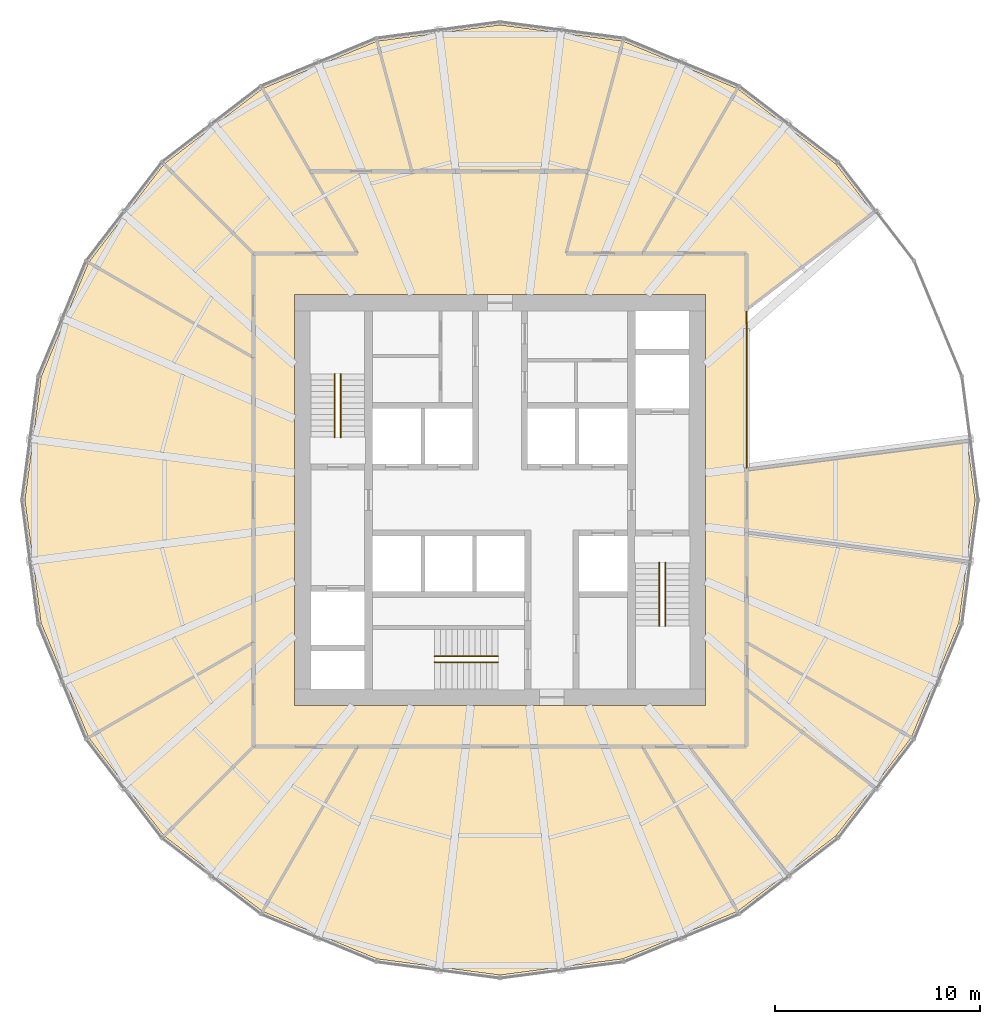
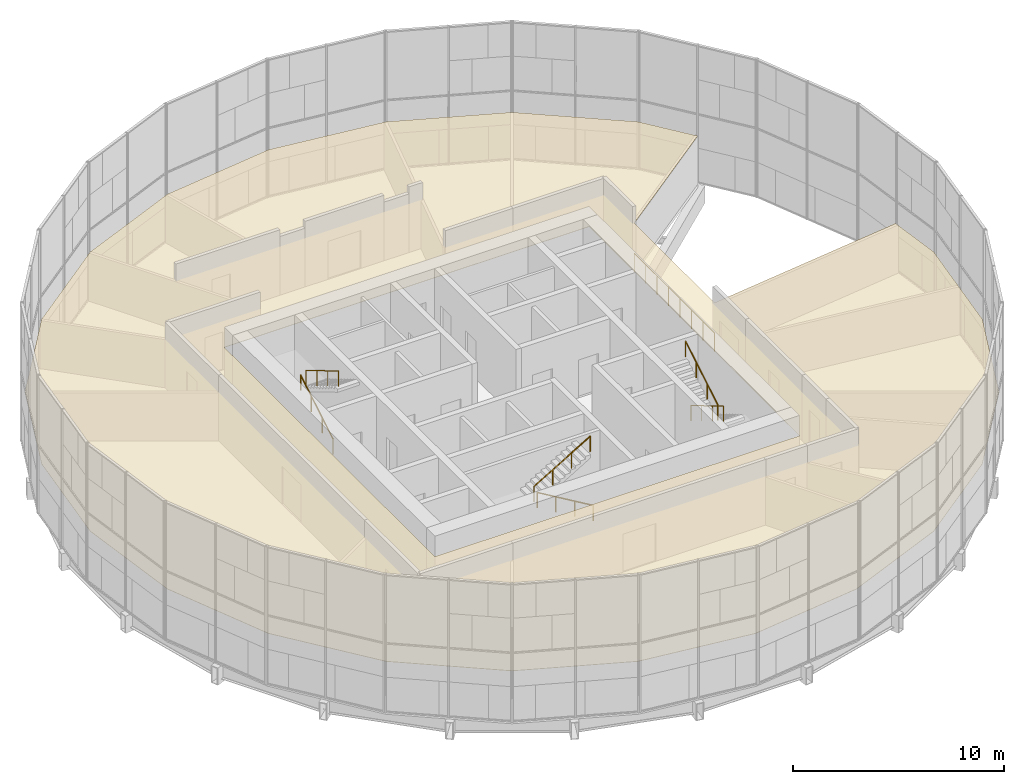
# One storey, part 18 of 18: 7 railings, 1 covering.
"""IFC4 building model written with IfcOpenShell, lengths in metres."""

from ifc_helpers import new_model, si_unit, direction, frame, origin, origin_2d, place, context, subcontext, project, spatial, polyline, circle, outline, extrude, material, layer, layer_set, type_object, element, save


model = new_model("IFC4")

# Units and contexts
model_context = context("Model", 3, precision=1e-05, world=origin(), true_north=direction((0.0, 1.0)))
body_context = subcontext(model_context, "Body", "Model", "MODEL_VIEW")
ifc_project = project(units=[si_unit("LENGTHUNIT", "METRE"), si_unit("AREAUNIT", "SQUARE_METRE"), si_unit("VOLUMEUNIT", "CUBIC_METRE"), si_unit("PLANEANGLEUNIT", "RADIAN"), si_unit("MASSUNIT", "GRAM", prefix="KILO")], contexts=[model_context])

# Site, building, storey
site_placement = place(None, origin())
site = spatial("IfcSite", under=ifc_project, at=site_placement, CompositionType="ELEMENT")
building_placement = place(site_placement, origin())
building = spatial("IfcBuilding", under=site, at=building_placement, Name="Golbaran Civic Tower", CompositionType="ELEMENT")
storey_placement = place(building_placement, frame((0.0, 0.0, 45.0)))
storey = spatial("IfcBuildingStorey", under=building, at=storey_placement, Name="L10", CompositionType="ELEMENT", Elevation=45.0)

# Railings
ifc_material_1 = material(Name="Laminated glass, steel shoe", Category="steel")
railing_type_1 = type_object("IfcRailingType", Name="GLASS BALUSTRADE 1100", PredefinedType="GUARDRAIL", material=ifc_material_1)
railing_1_placement = place(storey_placement, frame((12.0, 1.558837890625, 0.0)))
element("IfcRailing", 1, at=railing_1_placement, inside=storey, type_object=railing_type_1, Name="Sky garden void guard L10", PredefinedType="GUARDRAIL", context=body_context, shape_type="SweptSolid", body=[
    extrude(circle(Radius=0.02392578125, at=origin_2d()), frame((0.0, 0.0, 1.076171875), z_axis=(0.0, 1.0, 0.0), x_axis=(-1.0, 0.0, 0.0)), (0.0, 0.0, 1.0), 7.6162109375),
    extrude(circle(Radius=0.02099609375, at=origin_2d()), origin(), (0.0, 0.0, 1.0), 1.052001953125),
    extrude(circle(Radius=0.02099609375, at=origin_2d()), frame((0.0, 1.088134765625, 0.0)), (0.0, 0.0, 1.0), 1.052001953125),
    extrude(circle(Radius=0.02099609375, at=origin_2d()), frame((0.0, 2.176025390625, 0.0)), (0.0, 0.0, 1.0), 1.052001953125),
    extrude(circle(Radius=0.02099609375, at=origin_2d()), frame((0.0, 3.26416015625, 0.0)), (0.0, 0.0, 1.0), 1.052001953125),
    extrude(circle(Radius=0.02099609375, at=origin_2d()), frame((0.0, 4.35205078125, 0.0)), (0.0, 0.0, 1.0), 1.052001953125),
    extrude(circle(Radius=0.02099609375, at=origin_2d()), frame((0.0, 5.440185546875, 0.0)), (0.0, 0.0, 1.0), 1.052001953125),
    extrude(circle(Radius=0.02099609375, at=origin_2d()), frame((0.0, 6.528076171875, 0.0)), (0.0, 0.0, 1.0), 1.052001953125),
    extrude(circle(Radius=0.02099609375, at=origin_2d()), frame((0.0, 7.6162109375, 0.0)), (0.0, 0.0, 1.0), 1.052001953125),
])
ifc_material_2 = material(Name="Stainless steel", Category="steel")
railing_type_2 = type_object("IfcRailingType", Name="STAIR HANDRAIL 900", PredefinedType="HANDRAIL", material=ifc_material_2)
railing_2_placement = place(storey_placement, frame((-8.050048828125, 3.050048828125, 0.166748046875)))
element("IfcRailing", 2, at=railing_2_placement, inside=storey, type_object=railing_type_2, Name="Stair S1 handrail flight 1 L10", PredefinedType="HANDRAIL", context=body_context, shape_type="SweptSolid", body=[
    extrude(circle(Radius=0.02392578125, at=origin_2d()), frame((0.0, 0.0, 0.8759765625), z_axis=(0.0, 0.859290745958, 0.51148745235), x_axis=(-1.0, 0.0, 0.0)), (0.0, 0.0, 1.0), 3.584228515625),
    extrude(circle(Radius=0.02099609375, at=origin_2d()), origin(), (0.0, 0.0, 1.0), 0.851806640625),
    extrude(circle(Radius=0.02099609375, at=origin_2d()), frame((0.0, 1.026611328125, 0.611083984375)), (0.0, 0.0, 1.0), 0.851806640625),
    extrude(circle(Radius=0.02099609375, at=origin_2d()), frame((0.0, 2.05322265625, 1.22216796875)), (0.0, 0.0, 1.0), 0.851806640625),
    extrude(circle(Radius=0.02099609375, at=origin_2d()), frame((0.0, 3.079833984375, 1.833251953125)), (0.0, 0.0, 1.0), 0.851806640625),
])
for number, where, name in (
    (3, (-7.75, 6.1298828125, 2.166748046875), "Stair S1 handrail flight 2 L10"),
    (4, (8.050048828125, -3.050048828125, 0.166748046875), "Stair S2 handrail flight 1 L10"),
):
    element("IfcRailing", number, at=place(storey_placement, frame(where)), inside=storey, type_object=railing_type_2, Name=name, PredefinedType="HANDRAIL", context=body_context, shape_type="SweptSolid", body=[
        extrude(circle(Radius=0.02392578125, at=origin_2d()), frame((0.0, 0.0, 0.8759765625), z_axis=(0.0, -0.859290745958, 0.51148745235), x_axis=(1.0, 0.0, 0.0)), (0.0, 0.0, 1.0), 3.584228515625),
        extrude(circle(Radius=0.02099609375, at=origin_2d()), origin(), (0.0, 0.0, 1.0), 0.851806640625),
        extrude(circle(Radius=0.02099609375, at=origin_2d()), frame((0.0, -1.026611328125, 0.611083984375)), (0.0, 0.0, 1.0), 0.851806640625),
        extrude(circle(Radius=0.02099609375, at=origin_2d()), frame((0.0, -2.05322265625, 1.22216796875)), (0.0, 0.0, 1.0), 0.851806640625),
        extrude(circle(Radius=0.02099609375, at=origin_2d()), frame((0.0, -3.079833984375, 1.833251953125)), (0.0, 0.0, 1.0), 0.851806640625),
    ])
railing_3_placement = place(storey_placement, frame((7.75, -6.1298828125, 2.166748046875)))
element("IfcRailing", 5, at=railing_3_placement, inside=storey, type_object=railing_type_2, Name="Stair S2 handrail flight 2 L10", PredefinedType="HANDRAIL", context=body_context, shape_type="SweptSolid", body=[
    extrude(circle(Radius=0.02392578125, at=origin_2d()), frame((0.0, 0.0, 0.8759765625), z_axis=(0.0, 0.859290745958, 0.51148745235), x_axis=(-1.0, 0.0, 0.0)), (0.0, 0.0, 1.0), 3.584228515625),
    extrude(circle(Radius=0.02099609375, at=origin_2d()), origin(), (0.0, 0.0, 1.0), 0.851806640625),
    extrude(circle(Radius=0.02099609375, at=origin_2d()), frame((0.0, 1.026611328125, 0.611083984375)), (0.0, 0.0, 1.0), 0.851806640625),
    extrude(circle(Radius=0.02099609375, at=origin_2d()), frame((0.0, 2.05322265625, 1.22216796875)), (0.0, 0.0, 1.0), 0.851806640625),
    extrude(circle(Radius=0.02099609375, at=origin_2d()), frame((0.0, 3.079833984375, 1.833251953125)), (0.0, 0.0, 1.0), 0.851806640625),
])
railing_4_placement = place(storey_placement, frame((-0.10009765625, -7.89990234375, 0.166748046875)))
element("IfcRailing", 6, at=railing_4_placement, inside=storey, type_object=railing_type_2, Name="Stair S3 handrail flight 1 L10", PredefinedType="HANDRAIL", context=body_context, shape_type="SweptSolid", body=[
    extrude(circle(Radius=0.02392578125, at=origin_2d()), frame((0.0, 0.0, 0.8759765625), z_axis=(-0.859290745958, 0.0, 0.51148745235), x_axis=(0.0, -1.0, 0.0)), (0.0, 0.0, 1.0), 3.584228515625),
    extrude(circle(Radius=0.02099609375, at=origin_2d()), origin(), (0.0, 0.0, 1.0), 0.851806640625),
    extrude(circle(Radius=0.02099609375, at=origin_2d()), frame((-1.026611328125, 0.0, 0.611083984375)), (0.0, 0.0, 1.0), 0.851806640625),
    extrude(circle(Radius=0.02099609375, at=origin_2d()), frame((-2.05322265625, 0.0, 1.22216796875)), (0.0, 0.0, 1.0), 0.851806640625),
    extrude(circle(Radius=0.02099609375, at=origin_2d()), frame((-3.079833984375, 0.0, 1.833251953125)), (0.0, 0.0, 1.0), 0.851806640625),
])
railing_5_placement = place(storey_placement, frame((-3.179931640625, -7.60009765625, 2.166748046875)))
element("IfcRailing", 7, at=railing_5_placement, inside=storey, type_object=railing_type_2, Name="Stair S3 handrail flight 2 L10", PredefinedType="HANDRAIL", context=body_context, shape_type="SweptSolid", body=[
    extrude(circle(Radius=0.02392578125, at=origin_2d()), frame((0.0, 0.0, 0.8759765625), z_axis=(0.859290745958, 0.0, 0.51148745235), x_axis=(0.0, 1.0, 0.0)), (0.0, 0.0, 1.0), 3.584228515625),
    extrude(circle(Radius=0.02099609375, at=origin_2d()), origin(), (0.0, 0.0, 1.0), 0.851806640625),
    extrude(circle(Radius=0.02099609375, at=origin_2d()), frame((1.026611328125, 0.0, 0.611083984375)), (0.0, 0.0, 1.0), 0.851806640625),
    extrude(circle(Radius=0.02099609375, at=origin_2d()), frame((2.05322265625, 0.0, 1.22216796875)), (0.0, 0.0, 1.0), 0.851806640625),
    extrude(circle(Radius=0.02099609375, at=origin_2d()), frame((3.079833984375, 0.0, 1.833251953125)), (0.0, 0.0, 1.0), 0.851806640625),
])

# Covering
ifc_material_3 = material(Name="Mineral fibre tile on steel grid", Category="steel")
ifc_layer = layer(ifc_material_3, 0.02001953125, Name="Mineral fibre tile on steel grid")
ifc_layer_set = layer_set([ifc_layer], Name="Mineral fibre tile on steel grid")
covering_type = type_object("IfcCoveringType", Name="SUSPENDED CEILING 600 TILE 20", PredefinedType="CEILING", material=ifc_layer_set)
covering_placement = place(storey_placement, frame((0.0, 0.0, 2.800048828125)))
element("IfcCovering", 8, at=covering_placement, inside=storey, type_object=covering_type, Name="Suspended ceiling L10", PredefinedType="CEILING", context=body_context, shape_type="SweptSolid", body=[
    extrude(outline(polyline([(-22.333251953125, 5.984130859375), (-20.0234375, 11.560546875), (-16.34912109375, 16.34912109375), (-11.560546875, 20.0234375), (-5.984130859375, 22.333251953125), (0.0, 23.12109375), (5.984130859375, 22.333251953125), (11.560546875, 20.0234375), (16.34912109375, 16.34912109375), (18.210205078125, 13.92333984375), (12.0, 9.175048828125), (12.0, 1.558837890625), (22.732177734375, 2.952880859375), (23.12109375, 0.0), (22.333251953125, -5.984130859375), (20.0234375, -11.560546875), (16.34912109375, -16.34912109375), (11.560546875, -20.0234375), (5.984130859375, -22.333251953125), (0.0, -23.12109375), (-5.984130859375, -22.333251953125), (-11.560546875, -20.0234375), (-16.34912109375, -16.34912109375), (-20.0234375, -11.560546875), (-22.333251953125, -5.984130859375), (-23.12109375, 0.0), (-22.333251953125, 5.984130859375)]), holes=[polyline([(-10.0, 10.0), (-10.0, -10.0), (10.0, -10.0), (10.0, 10.0), (-10.0, 10.0)])]), origin(), (0.0, 0.0, 1.0), 0.02001953125),
])

save(model, "model.ifc")
